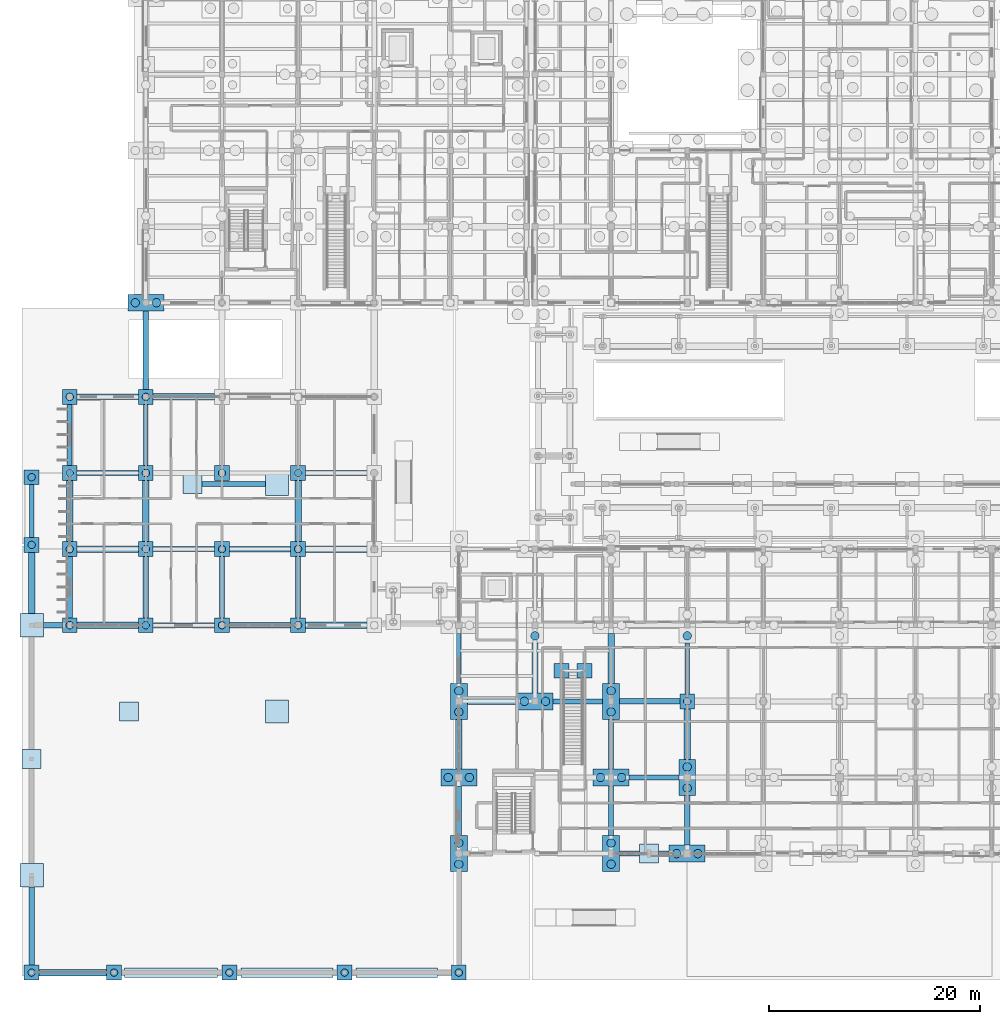
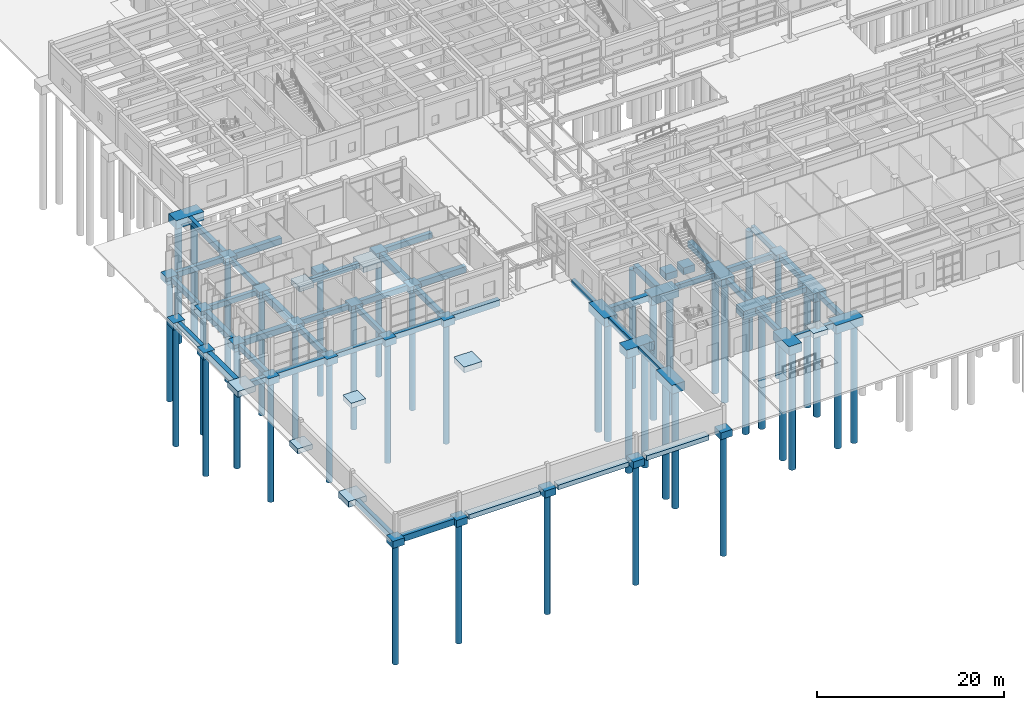
# One storey, part 1 of 143: 89 footings, 44 piles.
"""IFC4 building model written with IfcOpenShell, lengths in metres."""

from ifc_helpers import new_model, si_unit, direction, frame, origin, origin_2d, place, context, subcontext, project, spatial, rectangle, circle, extrude, material, material_profile, profile_set, type_object, element, save


model = new_model("IFC4")

# Units and contexts
model_context = context("Model", 3, precision=1e-05, world=origin(), true_north=direction((0.0, 1.0)))
body_context = subcontext(model_context, "Body", "Model", "MODEL_VIEW")
ifc_project = project(units=[si_unit("LENGTHUNIT", "METRE"), si_unit("AREAUNIT", "SQUARE_METRE"), si_unit("VOLUMEUNIT", "CUBIC_METRE"), si_unit("PLANEANGLEUNIT", "RADIAN"), si_unit("MASSUNIT", "GRAM", prefix="KILO")], contexts=[model_context])

# Site, building, storey
site_placement = place(None, origin())
site = spatial("IfcSite", under=ifc_project, at=site_placement, CompositionType="ELEMENT")
building_placement = place(site_placement, origin())
building = spatial("IfcBuilding", under=site, at=building_placement, Name="Steenspoor Specialist Clinic", CompositionType="ELEMENT")
storey_placement = place(building_placement, origin())
storey = spatial("IfcBuildingStorey", under=building, at=storey_placement, Name="L00", CompositionType="ELEMENT", Elevation=0.0)

# Footings
ifc_material = material(Name="Concrete C35/45", Category="concrete")
footing_type_1 = type_object("IfcFootingType", Name="FTG-PAD-180", PredefinedType="PAD_FOOTING", material=ifc_material)
for number, where, z_axis, x_axis, name in (
    (1, (4.800048828125, 22.0, -0.64990234375), (0.0, 0.0, 1.0), (1.0, 0.0, 0.0), "Pad Footing FTG-PAD-047"),
    (2, (63.199951171875, 13.050048828125, -0.64990234375), (0.0, 0.0, 1.0), (1.0, 0.0, 0.0), "Pad Footing FTG-PAD-065"),
    (3, (20.0, 48.0, -0.64990234375), (0.0, 0.0, 1.0), (1.0, 0.0, 0.0), "Pad Footing FTG-PAD-078"),
    (4, (14.0, 26.5, -0.64990234375), (0.0, 0.0, 1.0), (1.0, 0.0, 0.0), "Pad Footing FTG-PAD-080"),
):
    element("IfcFooting", number, at=place(storey_placement, frame(where, z_axis=z_axis, x_axis=x_axis)), inside=storey, type_object=footing_type_1, Name=name, PredefinedType="PAD_FOOTING", context=body_context, shape_type="SweptSolid", body=[
        extrude(rectangle(XDim=1.800048828125, YDim=1.800048828125, at=origin_2d()), origin(), (0.0, 0.0, 1.0), 0.64990234375),
    ])
footing_type_2 = type_object("IfcFootingType", Name="FTG-PAD-220", PredefinedType="PAD_FOOTING", material=ifc_material)
for number, where, z_axis, x_axis, name in (
    (5, (4.800048828125, 34.64990234375, -0.75), (0.0, 0.0, 1.0), (1.0, 0.0, 0.0), "Pad Footing FTG-PAD-046"),
    (6, (4.800048828125, 11.0, -0.75), (0.0, 0.0, 1.0), (1.0, 0.0, 0.0), "Pad Footing FTG-PAD-048"),
    (7, (28.0, 48.0, -0.75), (0.0, 0.0, 1.0), (1.0, 0.0, 0.0), "Pad Footing FTG-PAD-079"),
    (8, (28.0, 26.5, -0.75), (0.0, 0.0, 1.0), (1.0, 0.0, 0.0), "Pad Footing FTG-PAD-081"),
):
    element("IfcFooting", number, at=place(storey_placement, frame(where, z_axis=z_axis, x_axis=x_axis)), inside=storey, type_object=footing_type_2, Name=name, PredefinedType="PAD_FOOTING", context=body_context, shape_type="SweptSolid", body=[
        extrude(rectangle(XDim=2.199951171875, YDim=2.199951171875, at=origin_2d()), origin(), (0.0, 0.0, 1.0), 0.75),
    ])
footing_type_3 = type_object("IfcFootingType", Name="FTG-PC-1P-700", PredefinedType="PILE_CAP", material=ifc_material)
for number, where, z_axis, x_axis, name in (
    (9, (66.800048828125, 27.449951171875, -0.89990234375), (0.0, 0.0, 1.0), (1.0, 0.0, 0.0), "Pile Cap FTG-PC-016"),
    (10, (8.39990234375, 34.64990234375, -0.89990234375), (0.0, 0.0, 1.0), (1.0, 0.0, 0.0), "Pile Cap FTG-PC-080"),
    (11, (8.39990234375, 41.85009765625, -0.89990234375), (0.0, 0.0, 1.0), (1.0, 0.0, 0.0), "Pile Cap FTG-PC-081"),
    (12, (8.39990234375, 49.050048828125, -0.89990234375), (0.0, 0.0, 1.0), (1.0, 0.0, 0.0), "Pile Cap FTG-PC-082"),
    (13, (8.39990234375, 56.25, -0.89990234375), (0.0, 0.0, 1.0), (1.0, 0.0, 0.0), "Pile Cap FTG-PC-083"),
    (14, (15.60009765625, 34.64990234375, -0.89990234375), (0.0, 0.0, 1.0), (1.0, 0.0, 0.0), "Pile Cap FTG-PC-084"),
    (15, (15.60009765625, 41.85009765625, -0.89990234375), (0.0, 0.0, 1.0), (1.0, 0.0, 0.0), "Pile Cap FTG-PC-085"),
    (16, (15.60009765625, 49.050048828125, -0.89990234375), (0.0, 0.0, 1.0), (1.0, 0.0, 0.0), "Pile Cap FTG-PC-086"),
    (17, (15.60009765625, 56.25, -0.89990234375), (0.0, 0.0, 1.0), (1.0, 0.0, 0.0), "Pile Cap FTG-PC-087"),
    (18, (22.800048828125, 34.64990234375, -0.89990234375), (0.0, 0.0, 1.0), (1.0, 0.0, 0.0), "Pile Cap FTG-PC-088"),
    (19, (22.800048828125, 41.85009765625, -0.89990234375), (0.0, 0.0, 1.0), (1.0, 0.0, 0.0), "Pile Cap FTG-PC-089"),
    (20, (22.800048828125, 49.050048828125, -0.89990234375), (0.0, 0.0, 1.0), (1.0, 0.0, 0.0), "Pile Cap FTG-PC-090"),
    (21, (30.0, 34.64990234375, -0.89990234375), (0.0, 0.0, 1.0), (1.0, 0.0, 0.0), "Pile Cap FTG-PC-092"),
    (22, (30.0, 41.85009765625, -0.89990234375), (0.0, 0.0, 1.0), (1.0, 0.0, 0.0), "Pile Cap FTG-PC-093"),
    (23, (30.0, 49.050048828125, -0.89990234375), (0.0, 0.0, 1.0), (1.0, 0.0, 0.0), "Pile Cap FTG-PC-094"),
    (24, (4.800048828125, 42.25, -0.89990234375), (0.0, 0.0, 1.0), (1.0, 0.0, 0.0), "Pad Footing FTG-PAD-001"),
    (25, (4.800048828125, 48.64990234375, -0.89990234375), (0.0, 0.0, 1.0), (1.0, 0.0, 0.0), "Pad Footing FTG-PAD-002"),
    (26, (4.800048828125, 1.800048828125, -0.89990234375), (0.0, 0.0, 1.0), (1.0, 0.0, 0.0), "Pad Footing FTG-PAD-049"),
    (27, (12.60009765625, 1.800048828125, -0.89990234375), (0.0, 0.0, 1.0), (1.0, 0.0, 0.0), "Pad Footing FTG-PAD-050"),
    (28, (23.5, 1.800048828125, -0.89990234375), (0.0, 0.0, 1.0), (1.0, 0.0, 0.0), "Pad Footing FTG-PAD-051"),
    (29, (34.39990234375, 1.800048828125, -0.89990234375), (0.0, 0.0, 1.0), (1.0, 0.0, 0.0), "Pad Footing FTG-PAD-052"),
    (30, (45.199951171875, 1.800048828125, -0.89990234375), (0.0, 0.0, 1.0), (1.0, 0.0, 0.0), "Pad Footing FTG-PAD-053"),
    (31, (54.925048828125, 30.35009765625, -0.89990234375), (0.0, 0.0, 1.0), (1.0, 0.0, 0.0), "Feature Stair Pad ST-F01 L"),
    (32, (57.074951171875, 30.35009765625, -0.89990234375), (0.0, 0.0, 1.0), (1.0, 0.0, 0.0), "Feature Stair Pad ST-F01 R"),
):
    element("IfcFooting", number, at=place(storey_placement, frame(where, z_axis=z_axis, x_axis=x_axis)), inside=storey, type_object=footing_type_3, Name=name, PredefinedType="PILE_CAP", context=body_context, shape_type="SweptSolid", body=[
        extrude(rectangle(XDim=1.39990234375, YDim=1.39990234375, at=origin_2d()), origin(), (0.0, 0.0, 1.0), 0.89990234375),
    ])
footing_type_4 = type_object("IfcFootingType", Name="FTG-PC-2P-800X", PredefinedType="PILE_CAP", material=ifc_material)
for number, where, z_axis, x_axis, name in (
    (33, (45.199951171875, 20.25, -1.10009765625), (0.0, 0.0, 1.0), (1.0, 0.0, 0.0), "Pile Cap FTG-PC-002"),
    (34, (52.39990234375, 27.449951171875, -1.10009765625), (0.0, 0.0, 1.0), (1.0, 0.0, 0.0), "Pile Cap FTG-PC-006"),
    (35, (59.60009765625, 20.25, -1.10009765625), (0.0, 0.0, 1.0), (1.0, 0.0, 0.0), "Pile Cap FTG-PC-010"),
    (36, (66.800048828125, 13.050048828125, -1.10009765625), (0.0, 0.0, 1.0), (1.0, 0.0, 0.0), "Pile Cap FTG-PC-014"),
    (37, (15.60009765625, 65.14990234375, -1.10009765625), (0.0, 0.0, 1.0), (1.0, 0.0, 0.0), "Pile Cap FTG-PC-168"),
):
    element("IfcFooting", number, at=place(storey_placement, frame(where, z_axis=z_axis, x_axis=x_axis)), inside=storey, type_object=footing_type_4, Name=name, PredefinedType="PILE_CAP", context=body_context, shape_type="SweptSolid", body=[
        extrude(rectangle(XDim=3.39990234375, YDim=1.60009765625, at=origin_2d()), origin(), (0.0, 0.0, 1.0), 1.10009765625),
    ])
footing_type_5 = type_object("IfcFootingType", Name="FTG-PC-2P-800Y", PredefinedType="PILE_CAP", material=ifc_material)
for number, where, z_axis, x_axis, name in (
    (38, (45.199951171875, 13.050048828125, -1.14990234375), (0.0, 0.0, 1.0), (1.0, 0.0, 0.0), "Pile Cap FTG-PC-001"),
    (39, (45.199951171875, 27.449951171875, -1.14990234375), (0.0, 0.0, 1.0), (1.0, 0.0, 0.0), "Pile Cap FTG-PC-003"),
    (40, (59.60009765625, 13.050048828125, -1.14990234375), (0.0, 0.0, 1.0), (1.0, 0.0, 0.0), "Pile Cap FTG-PC-009"),
    (41, (59.60009765625, 27.449951171875, -1.14990234375), (0.0, 0.0, 1.0), (1.0, 0.0, 0.0), "Pile Cap FTG-PC-011"),
    (42, (66.800048828125, 20.25, -1.14990234375), (0.0, 0.0, 1.0), (1.0, 0.0, 0.0), "Pile Cap FTG-PC-015"),
):
    element("IfcFooting", number, at=place(storey_placement, frame(where, z_axis=z_axis, x_axis=x_axis)), inside=storey, type_object=footing_type_5, Name=name, PredefinedType="PILE_CAP", context=body_context, shape_type="SweptSolid", body=[
        extrude(rectangle(XDim=1.60009765625, YDim=3.39990234375, at=origin_2d()), origin(), (0.0, 0.0, 1.0), 1.14990234375),
    ])
footing_type_6 = type_object("IfcFootingType", Name="FTG-SF-900X600", PredefinedType="STRIP_FOOTING", material=ifc_material)
footing_1_placement = place(storey_placement, frame((18.0, 1.800048828125, -0.60009765625), z_axis=(0.0, 0.0, 1.0), x_axis=(1.0, 0.0, 0.0)))
element("IfcFooting", 43, at=footing_1_placement, inside=storey, type_object=footing_type_6, Name="Strip Footing FTG-SF-001", PredefinedType="STRIP_FOOTING", context=body_context, shape_type="SweptSolid", body=[
    extrude(rectangle(XDim=8.800048828125, YDim=0.89990234375, at=origin_2d()), origin(), (0.0, 0.0, 1.0), 0.60009765625),
])
footing_2_placement = place(storey_placement, frame((28.949951171875, 1.800048828125, -0.60009765625), z_axis=(0.0, 0.0, 1.0), x_axis=(1.0, 0.0, 0.0)))
element("IfcFooting", 44, at=footing_2_placement, inside=storey, type_object=footing_type_6, Name="Strip Footing FTG-SF-002", PredefinedType="STRIP_FOOTING", context=body_context, shape_type="SweptSolid", body=[
    extrude(rectangle(XDim=8.699951171875, YDim=0.89990234375, at=origin_2d()), origin(), (0.0, 0.0, 1.0), 0.60009765625),
])
footing_3_placement = place(storey_placement, frame((39.35009765625, 1.800048828125, -0.60009765625), z_axis=(0.0, 0.0, 1.0), x_axis=(1.0, 0.0, 0.0)))
element("IfcFooting", 45, at=footing_3_placement, inside=storey, type_object=footing_type_6, Name="Strip Footing FTG-SF-003", PredefinedType="STRIP_FOOTING", context=body_context, shape_type="SweptSolid", body=[
    extrude(rectangle(XDim=7.699951171875, YDim=0.89990234375, at=origin_2d()), origin(), (0.0, 0.0, 1.0), 0.60009765625),
])
footing_type_7 = type_object("IfcFootingType", Name="FTG-TB-450X650", PredefinedType="FOOTING_BEAM", material=ifc_material)
footing_4_placement = place(storey_placement, frame((61.35009765625, 13.050048828125, -0.64990234375), z_axis=(0.0, 0.0, 1.0), x_axis=(1.0, 0.0, 0.0)))
element("IfcFooting", 46, at=footing_4_placement, inside=storey, type_object=footing_type_7, Name="Seismic Tie Beam FTG-TB-002", PredefinedType="FOOTING_BEAM", context=body_context, shape_type="SweptSolid", body=[
    extrude(rectangle(XDim=1.89990234375, YDim=0.449951171875, at=origin_2d()), origin(), (0.0, 0.0, 1.0), 0.64990234375),
])
for number, where, z_axis, x_axis, name in (
    (47, (63.64990234375, 20.25, -0.64990234375), (0.0, 0.0, 1.0), (1.0, 0.0, 0.0), "Seismic Tie Beam FTG-TB-020"),
    (48, (56.449951171875, 27.449951171875, -0.64990234375), (0.0, 0.0, 1.0), (1.0, 0.0, 0.0), "Seismic Tie Beam FTG-TB-032"),
):
    element("IfcFooting", number, at=place(storey_placement, frame(where, z_axis=z_axis, x_axis=x_axis)), inside=storey, type_object=footing_type_7, Name=name, PredefinedType="FOOTING_BEAM", context=body_context, shape_type="SweptSolid", body=[
        extrude(rectangle(XDim=4.699951171875, YDim=0.449951171875, at=origin_2d()), origin(), (0.0, 0.0, 1.0), 0.64990234375),
    ])
for number, where, z_axis, x_axis, name in (
    (49, (19.199951171875, 34.64990234375, -0.64990234375), (0.0, 0.0, 1.0), (1.0, 0.0, 0.0), "Seismic Tie Beam FTG-TB-050"),
    (50, (19.199951171875, 41.85009765625, -0.64990234375), (0.0, 0.0, 1.0), (1.0, 0.0, 0.0), "Seismic Tie Beam FTG-TB-071"),
):
    element("IfcFooting", number, at=place(storey_placement, frame(where, z_axis=z_axis, x_axis=x_axis)), inside=storey, type_object=footing_type_7, Name=name, PredefinedType="FOOTING_BEAM", context=body_context, shape_type="SweptSolid", body=[
        extrude(rectangle(XDim=5.800048828125, YDim=0.449951171875, at=origin_2d()), origin(), (0.0, 0.0, 1.0), 0.64990234375),
    ])
footing_5_placement = place(storey_placement, frame((23.89990234375, 48.0, -0.64990234375), z_axis=(0.0, 0.0, 1.0), x_axis=(1.0, 0.0, 0.0)))
element("IfcFooting", 51, at=footing_5_placement, inside=storey, type_object=footing_type_7, Name="Seismic Tie Beam FTG-TB-101", PredefinedType="FOOTING_BEAM", context=body_context, shape_type="SweptSolid", body=[
    extrude(rectangle(XDim=6.0, YDim=0.449951171875, at=origin_2d()), origin(), (0.0, 0.0, 1.0), 0.64990234375),
])
footing_6_placement = place(storey_placement, frame((12.0, 49.050048828125, -0.64990234375), z_axis=(0.0, 0.0, 1.0), x_axis=(1.0, 0.0, 0.0)))
element("IfcFooting", 52, at=footing_6_placement, inside=storey, type_object=footing_type_7, Name="Seismic Tie Beam FTG-TB-110", PredefinedType="FOOTING_BEAM", context=body_context, shape_type="SweptSolid", body=[
    extrude(rectangle(XDim=5.800048828125, YDim=0.449951171875, at=origin_2d()), origin(), (0.0, 0.0, 1.0), 0.64990234375),
])
footing_7_placement = place(storey_placement, frame((4.800048828125, 45.449951171875, -0.64990234375), z_axis=(0.0, 0.0, 1.0), x_axis=(1.0, 0.0, 0.0)))
element("IfcFooting", 53, at=footing_7_placement, inside=storey, type_object=footing_type_7, Name="Seismic Tie Beam FTG-TB-266", PredefinedType="FOOTING_BEAM", context=body_context, shape_type="SweptSolid", body=[
    extrude(rectangle(XDim=0.449951171875, YDim=5.0, at=origin_2d()), origin(), (0.0, 0.0, 1.0), 0.64990234375),
])
for number, where, z_axis, x_axis, name in (
    (54, (8.39990234375, 52.64990234375, -0.64990234375), (0.0, 0.0, 1.0), (1.0, 0.0, 0.0), "Seismic Tie Beam FTG-TB-269"),
    (55, (15.60009765625, 52.64990234375, -0.64990234375), (0.0, 0.0, 1.0), (1.0, 0.0, 0.0), "Seismic Tie Beam FTG-TB-272"),
    (56, (22.800048828125, 38.25, -0.64990234375), (0.0, 0.0, 1.0), (1.0, 0.0, 0.0), "Seismic Tie Beam FTG-TB-278"),
):
    element("IfcFooting", number, at=place(storey_placement, frame(where, z_axis=z_axis, x_axis=x_axis)), inside=storey, type_object=footing_type_7, Name=name, PredefinedType="FOOTING_BEAM", context=body_context, shape_type="SweptSolid", body=[
        extrude(rectangle(XDim=0.449951171875, YDim=5.800048828125, at=origin_2d()), origin(), (0.0, 0.0, 1.0), 0.64990234375),
    ])
for number, where, z_axis, x_axis, name in (
    (57, (45.199951171875, 31.5, -0.64990234375), (0.0, 0.0, 1.0), (1.0, 0.0, 0.0), "Seismic Tie Beam FTG-TB-314"),
    (58, (59.60009765625, 17.10009765625, -0.64990234375), (0.0, 0.0, 1.0), (1.0, 0.0, 0.0), "Seismic Tie Beam FTG-TB-329"),
):
    element("IfcFooting", number, at=place(storey_placement, frame(where, z_axis=z_axis, x_axis=x_axis)), inside=storey, type_object=footing_type_7, Name=name, PredefinedType="FOOTING_BEAM", context=body_context, shape_type="SweptSolid", body=[
        extrude(rectangle(XDim=0.449951171875, YDim=4.699951171875, at=origin_2d()), origin(), (0.0, 0.0, 1.0), 0.64990234375),
    ])
footing_8_placement = place(storey_placement, frame((66.800048828125, 30.550048828125, -0.64990234375), z_axis=(0.0, 0.0, 1.0), x_axis=(1.0, 0.0, 0.0)))
element("IfcFooting", 59, at=footing_8_placement, inside=storey, type_object=footing_type_7, Name="Seismic Tie Beam FTG-TB-341", PredefinedType="FOOTING_BEAM", context=body_context, shape_type="SweptSolid", body=[
    extrude(rectangle(XDim=0.449951171875, YDim=4.800048828125, at=origin_2d()), origin(), (0.0, 0.0, 1.0), 0.64990234375),
])
footing_type_8 = type_object("IfcFootingType", Name="FTG-TB-500X700", PredefinedType="FOOTING_BEAM", material=ifc_material)
footing_9_placement = place(storey_placement, frame((64.60009765625, 13.050048828125, -0.7001953125), z_axis=(0.0, 0.0, 1.0), x_axis=(1.0, 0.0, 0.0)))
element("IfcFooting", 60, at=footing_9_placement, inside=storey, type_object=footing_type_8, Name="Seismic Tie Beam FTG-TB-003", PredefinedType="FOOTING_BEAM", context=body_context, shape_type="SweptSolid", body=[
    extrude(rectangle(XDim=1.0, YDim=0.5, at=origin_2d()), origin(), (0.0, 0.0, 1.0), 0.699951171875),
])
footing_10_placement = place(storey_placement, frame((63.25, 27.449951171875, -0.7001953125), z_axis=(0.0, 0.0, 1.0), x_axis=(1.0, 0.0, 0.0)))
element("IfcFooting", 61, at=footing_10_placement, inside=storey, type_object=footing_type_8, Name="Seismic Tie Beam FTG-TB-033", PredefinedType="FOOTING_BEAM", context=body_context, shape_type="SweptSolid", body=[
    extrude(rectangle(XDim=5.699951171875, YDim=0.5, at=origin_2d()), origin(), (0.0, 0.0, 1.0), 0.699951171875),
])
footing_11_placement = place(storey_placement, frame((6.800048828125, 34.64990234375, -0.7001953125), z_axis=(0.0, 0.0, 1.0), x_axis=(1.0, 0.0, 0.0)))
element("IfcFooting", 62, at=footing_11_placement, inside=storey, type_object=footing_type_8, Name="Seismic Tie Beam FTG-TB-048", PredefinedType="FOOTING_BEAM", context=body_context, shape_type="SweptSolid", body=[
    extrude(rectangle(XDim=1.800048828125, YDim=0.5, at=origin_2d()), origin(), (0.0, 0.0, 1.0), 0.699951171875),
])
for number, where, z_axis, x_axis, name in (
    (63, (26.39990234375, 34.64990234375, -0.7001953125), (0.0, 0.0, 1.0), (1.0, 0.0, 0.0), "Seismic Tie Beam FTG-TB-051"),
    (64, (26.39990234375, 41.85009765625, -0.7001953125), (0.0, 0.0, 1.0), (1.0, 0.0, 0.0), "Seismic Tie Beam FTG-TB-072"),
    (65, (33.60009765625, 49.050048828125, -0.7001953125), (0.0, 0.0, 1.0), (1.0, 0.0, 0.0), "Seismic Tie Beam FTG-TB-111"),
    (66, (12.0, 56.25, -0.7001953125), (0.0, 0.0, 1.0), (1.0, 0.0, 0.0), "Seismic Tie Beam FTG-TB-114"),
):
    element("IfcFooting", number, at=place(storey_placement, frame(where, z_axis=z_axis, x_axis=x_axis)), inside=storey, type_object=footing_type_8, Name=name, PredefinedType="FOOTING_BEAM", context=body_context, shape_type="SweptSolid", body=[
        extrude(rectangle(XDim=5.800048828125, YDim=0.5, at=origin_2d()), origin(), (0.0, 0.0, 1.0), 0.699951171875),
    ])
footing_12_placement = place(storey_placement, frame((4.800048828125, 6.199951171875, -0.7001953125), z_axis=(0.0, 0.0, 1.0), x_axis=(1.0, 0.0, 0.0)))
element("IfcFooting", 67, at=footing_12_placement, inside=storey, type_object=footing_type_8, Name="Seismic Tie Beam FTG-TB-264", PredefinedType="FOOTING_BEAM", context=body_context, shape_type="SweptSolid", body=[
    extrude(rectangle(XDim=0.5, YDim=7.39990234375, at=origin_2d()), origin(), (0.0, 0.0, 1.0), 0.699951171875),
])
for number, where, z_axis, x_axis, name in (
    (68, (8.39990234375, 38.25, -0.7001953125), (0.0, 0.0, 1.0), (1.0, 0.0, 0.0), "Seismic Tie Beam FTG-TB-267"),
    (69, (15.60009765625, 38.25, -0.7001953125), (0.0, 0.0, 1.0), (1.0, 0.0, 0.0), "Seismic Tie Beam FTG-TB-270"),
):
    element("IfcFooting", number, at=place(storey_placement, frame(where, z_axis=z_axis, x_axis=x_axis)), inside=storey, type_object=footing_type_8, Name=name, PredefinedType="FOOTING_BEAM", context=body_context, shape_type="SweptSolid", body=[
        extrude(rectangle(XDim=0.5, YDim=5.800048828125, at=origin_2d()), origin(), (0.0, 0.0, 1.0), 0.699951171875),
    ])
footing_13_placement = place(storey_placement, frame((15.60009765625, 60.64990234375, -0.7001953125), z_axis=(0.0, 0.0, 1.0), x_axis=(1.0, 0.0, 0.0)))
element("IfcFooting", 70, at=footing_13_placement, inside=storey, type_object=footing_type_8, Name="Seismic Tie Beam FTG-TB-273", PredefinedType="FOOTING_BEAM", context=body_context, shape_type="SweptSolid", body=[
    extrude(rectangle(XDim=0.5, YDim=7.39990234375, at=origin_2d()), origin(), (0.0, 0.0, 1.0), 0.699951171875),
])
footing_14_placement = place(storey_placement, frame((30.0, 38.25, -0.7001953125), z_axis=(0.0, 0.0, 1.0), x_axis=(1.0, 0.0, 0.0)))
element("IfcFooting", 71, at=footing_14_placement, inside=storey, type_object=footing_type_8, Name="Seismic Tie Beam FTG-TB-285", PredefinedType="FOOTING_BEAM", context=body_context, shape_type="SweptSolid", body=[
    extrude(rectangle(XDim=0.5, YDim=5.800048828125, at=origin_2d()), origin(), (0.0, 0.0, 1.0), 0.699951171875),
])
for number, where, z_axis, x_axis, name in (
    (72, (45.199951171875, 17.10009765625, -0.7001953125), (0.0, 0.0, 1.0), (1.0, 0.0, 0.0), "Seismic Tie Beam FTG-TB-312"),
    (73, (59.60009765625, 23.39990234375, -0.7001953125), (0.0, 0.0, 1.0), (1.0, 0.0, 0.0), "Seismic Tie Beam FTG-TB-330"),
    (74, (66.800048828125, 16.199951171875, -0.7001953125), (0.0, 0.0, 1.0), (1.0, 0.0, 0.0), "Seismic Tie Beam FTG-TB-339"),
):
    element("IfcFooting", number, at=place(storey_placement, frame(where, z_axis=z_axis, x_axis=x_axis)), inside=storey, type_object=footing_type_8, Name=name, PredefinedType="FOOTING_BEAM", context=body_context, shape_type="SweptSolid", body=[
        extrude(rectangle(XDim=0.5, YDim=4.699951171875, at=origin_2d()), origin(), (0.0, 0.0, 1.0), 0.699951171875),
    ])
footing_type_9 = type_object("IfcFootingType", Name="FTG-TB-600X800", PredefinedType="FOOTING_BEAM", material=ifc_material)
footing_15_placement = place(storey_placement, frame((8.699951171875, 1.800048828125, -0.7998046875), z_axis=(0.0, 0.0, 1.0), x_axis=(1.0, 0.0, 0.0)))
element("IfcFooting", 75, at=footing_15_placement, inside=storey, type_object=footing_type_9, Name="Seismic Tie Beam FTG-TB-001", PredefinedType="FOOTING_BEAM", context=body_context, shape_type="SweptSolid", body=[
    extrude(rectangle(XDim=6.39990234375, YDim=0.60009765625, at=origin_2d()), origin(), (0.0, 0.0, 1.0), 0.800048828125),
])
footing_16_placement = place(storey_placement, frame((48.35009765625, 27.449951171875, -0.7998046875), z_axis=(0.0, 0.0, 1.0), x_axis=(1.0, 0.0, 0.0)))
element("IfcFooting", 76, at=footing_16_placement, inside=storey, type_object=footing_type_9, Name="Seismic Tie Beam FTG-TB-031", PredefinedType="FOOTING_BEAM", context=body_context, shape_type="SweptSolid", body=[
    extrude(rectangle(XDim=4.699951171875, YDim=0.60009765625, at=origin_2d()), origin(), (0.0, 0.0, 1.0), 0.800048828125),
])
for number, where, z_axis, x_axis, name in (
    (77, (12.0, 34.64990234375, -0.7998046875), (0.0, 0.0, 1.0), (1.0, 0.0, 0.0), "Seismic Tie Beam FTG-TB-049"),
    (78, (33.60009765625, 34.64990234375, -0.7998046875), (0.0, 0.0, 1.0), (1.0, 0.0, 0.0), "Seismic Tie Beam FTG-TB-052"),
    (79, (12.0, 41.85009765625, -0.7998046875), (0.0, 0.0, 1.0), (1.0, 0.0, 0.0), "Seismic Tie Beam FTG-TB-070"),
    (80, (33.60009765625, 41.85009765625, -0.7998046875), (0.0, 0.0, 1.0), (1.0, 0.0, 0.0), "Seismic Tie Beam FTG-TB-073"),
    (81, (19.199951171875, 56.25, -0.7998046875), (0.0, 0.0, 1.0), (1.0, 0.0, 0.0), "Seismic Tie Beam FTG-TB-115"),
):
    element("IfcFooting", number, at=place(storey_placement, frame(where, z_axis=z_axis, x_axis=x_axis)), inside=storey, type_object=footing_type_9, Name=name, PredefinedType="FOOTING_BEAM", context=body_context, shape_type="SweptSolid", body=[
        extrude(rectangle(XDim=5.800048828125, YDim=0.60009765625, at=origin_2d()), origin(), (0.0, 0.0, 1.0), 0.800048828125),
    ])
for number, where, z_axis, x_axis, name in (
    (82, (4.800048828125, 38.64990234375, -0.7998046875), (0.0, 0.0, 1.0), (1.0, 0.0, 0.0), "Seismic Tie Beam FTG-TB-265"),
    (83, (8.39990234375, 45.449951171875, -0.7998046875), (0.0, 0.0, 1.0), (1.0, 0.0, 0.0), "Seismic Tie Beam FTG-TB-268"),
    (84, (15.60009765625, 45.449951171875, -0.7998046875), (0.0, 0.0, 1.0), (1.0, 0.0, 0.0), "Seismic Tie Beam FTG-TB-271"),
    (85, (30.0, 45.449951171875, -0.7998046875), (0.0, 0.0, 1.0), (1.0, 0.0, 0.0), "Seismic Tie Beam FTG-TB-286"),
):
    element("IfcFooting", number, at=place(storey_placement, frame(where, z_axis=z_axis, x_axis=x_axis)), inside=storey, type_object=footing_type_9, Name=name, PredefinedType="FOOTING_BEAM", context=body_context, shape_type="SweptSolid", body=[
        extrude(rectangle(XDim=0.60009765625, YDim=5.800048828125, at=origin_2d()), origin(), (0.0, 0.0, 1.0), 0.800048828125),
    ])
for number, where, z_axis, x_axis, name in (
    (86, (45.199951171875, 23.39990234375, -0.7998046875), (0.0, 0.0, 1.0), (1.0, 0.0, 0.0), "Seismic Tie Beam FTG-TB-313"),
    (87, (52.39990234375, 30.60009765625, -0.7998046875), (0.0, 0.0, 1.0), (1.0, 0.0, 0.0), "Seismic Tie Beam FTG-TB-322"),
    (88, (59.60009765625, 31.5, -0.7998046875), (0.0, 0.0, 1.0), (1.0, 0.0, 0.0), "Seismic Tie Beam FTG-TB-331"),
):
    element("IfcFooting", number, at=place(storey_placement, frame(where, z_axis=z_axis, x_axis=x_axis)), inside=storey, type_object=footing_type_9, Name=name, PredefinedType="FOOTING_BEAM", context=body_context, shape_type="SweptSolid", body=[
        extrude(rectangle(XDim=0.60009765625, YDim=4.699951171875, at=origin_2d()), origin(), (0.0, 0.0, 1.0), 0.800048828125),
    ])
footing_17_placement = place(storey_placement, frame((66.800048828125, 24.35009765625, -0.7998046875), z_axis=(0.0, 0.0, 1.0), x_axis=(1.0, 0.0, 0.0)))
element("IfcFooting", 89, at=footing_17_placement, inside=storey, type_object=footing_type_9, Name="Seismic Tie Beam FTG-TB-340", PredefinedType="FOOTING_BEAM", context=body_context, shape_type="SweptSolid", body=[
    extrude(rectangle(XDim=0.60009765625, YDim=4.800048828125, at=origin_2d()), origin(), (0.0, 0.0, 1.0), 0.800048828125),
])

# Piles
ifc_material_profile_1 = material_profile(ifc_material, circle(Radius=0.35009765625, at=origin_2d()), Name="PILE-D700")
ifc_profile_set_1 = profile_set([ifc_material_profile_1], Name="Concrete C35/45")
pile_type_1 = type_object("IfcPileType", Name="PILE-RC-D700", PredefinedType="BORED", material=ifc_profile_set_1)
for number, where, z_axis, x_axis, name in (
    (90, (66.800048828125, 27.449951171875, -0.800048828125), (0.0, 0.0, -1.0), (1.0, 0.0, 0.0), "Bored Pile PILE-0031"),
    (91, (8.39990234375, 34.64990234375, -0.800048828125), (0.0, 0.0, -1.0), (1.0, 0.0, 0.0), "Bored Pile PILE-0160"),
    (92, (8.39990234375, 41.85009765625, -0.800048828125), (0.0, 0.0, -1.0), (1.0, 0.0, 0.0), "Bored Pile PILE-0161"),
    (93, (8.39990234375, 49.050048828125, -0.800048828125), (0.0, 0.0, -1.0), (1.0, 0.0, 0.0), "Bored Pile PILE-0162"),
    (94, (8.39990234375, 56.25, -0.800048828125), (0.0, 0.0, -1.0), (1.0, 0.0, 0.0), "Bored Pile PILE-0163"),
    (95, (15.60009765625, 34.64990234375, -0.800048828125), (0.0, 0.0, -1.0), (1.0, 0.0, 0.0), "Bored Pile PILE-0164"),
    (96, (15.60009765625, 41.85009765625, -0.800048828125), (0.0, 0.0, -1.0), (1.0, 0.0, 0.0), "Bored Pile PILE-0165"),
    (97, (15.60009765625, 49.050048828125, -0.800048828125), (0.0, 0.0, -1.0), (1.0, 0.0, 0.0), "Bored Pile PILE-0166"),
    (98, (15.60009765625, 56.25, -0.800048828125), (0.0, 0.0, -1.0), (1.0, 0.0, 0.0), "Bored Pile PILE-0167"),
    (99, (22.800048828125, 34.64990234375, -0.800048828125), (0.0, 0.0, -1.0), (1.0, 0.0, 0.0), "Bored Pile PILE-0168"),
    (100, (22.800048828125, 41.85009765625, -0.800048828125), (0.0, 0.0, -1.0), (1.0, 0.0, 0.0), "Bored Pile PILE-0169"),
    (101, (22.800048828125, 49.050048828125, -0.800048828125), (0.0, 0.0, -1.0), (1.0, 0.0, 0.0), "Bored Pile PILE-0170"),
    (102, (30.0, 34.64990234375, -0.800048828125), (0.0, 0.0, -1.0), (1.0, 0.0, 0.0), "Bored Pile PILE-0172"),
    (103, (30.0, 41.85009765625, -0.800048828125), (0.0, 0.0, -1.0), (1.0, 0.0, 0.0), "Bored Pile PILE-0173"),
    (104, (30.0, 49.050048828125, -0.800048828125), (0.0, 0.0, -1.0), (1.0, 0.0, 0.0), "Bored Pile PILE-0174"),
    (105, (4.800048828125, 42.25, -0.800048828125), (0.0, 0.0, -1.0), (1.0, 0.0, 0.0), "Bored Pile PILE-0610"),
    (106, (4.800048828125, 48.64990234375, -0.800048828125), (0.0, 0.0, -1.0), (1.0, 0.0, 0.0), "Bored Pile PILE-0611"),
    (107, (4.800048828125, 1.800048828125, -0.800048828125), (0.0, 0.0, -1.0), (1.0, 0.0, 0.0), "Bored Pile PILE-0655"),
    (108, (12.60009765625, 1.800048828125, -0.800048828125), (0.0, 0.0, -1.0), (1.0, 0.0, 0.0), "Bored Pile PILE-0656"),
    (109, (23.5, 1.800048828125, -0.800048828125), (0.0, 0.0, -1.0), (1.0, 0.0, 0.0), "Bored Pile PILE-0657"),
    (110, (34.39990234375, 1.800048828125, -0.800048828125), (0.0, 0.0, -1.0), (1.0, 0.0, 0.0), "Bored Pile PILE-0658"),
    (111, (45.199951171875, 1.800048828125, -0.800048828125), (0.0, 0.0, -1.0), (1.0, 0.0, 0.0), "Bored Pile PILE-0659"),
):
    element("IfcPile", number, at=place(storey_placement, frame(where, z_axis=z_axis, x_axis=x_axis)), inside=storey, type_object=pile_type_1, Name=name, PredefinedType="BORED", context=body_context, shape_type="SweptSolid", body=[
        extrude(circle(Radius=0.35009765625, at=origin_2d()), origin(), (0.0, 0.0, 1.0), 15.699951171875),
    ])
ifc_material_profile_2 = material_profile(ifc_material, circle(Radius=0.39990234375, at=origin_2d()), Name="PILE-D800")
ifc_profile_set_2 = profile_set([ifc_material_profile_2], Name="Concrete C35/45")
pile_type_2 = type_object("IfcPileType", Name="PILE-RC-D800", PredefinedType="BORED", material=ifc_profile_set_2)
for number, where, z_axis, x_axis, name in (
    (112, (45.199951171875, 12.050048828125, -1.050048828125), (0.0, 0.0, -1.0), (1.0, 0.0, 0.0), "Bored Pile PILE-0001"),
    (113, (45.199951171875, 14.050048828125, -1.050048828125), (0.0, 0.0, -1.0), (1.0, 0.0, 0.0), "Bored Pile PILE-0002"),
):
    element("IfcPile", number, at=place(storey_placement, frame(where, z_axis=z_axis, x_axis=x_axis)), inside=storey, type_object=pile_type_2, Name=name, PredefinedType="BORED", context=body_context, shape_type="SweptSolid", body=[
        extrude(circle(Radius=0.39990234375, at=origin_2d()), origin(), (0.0, 0.0, 1.0), 15.449951171875),
    ])
for number, where, z_axis, x_axis, name in (
    (114, (44.199951171875, 20.25, -1.0), (0.0, 0.0, -1.0), (1.0, 0.0, 0.0), "Bored Pile PILE-0003"),
    (115, (46.199951171875, 20.25, -1.0), (0.0, 0.0, -1.0), (1.0, 0.0, 0.0), "Bored Pile PILE-0004"),
):
    element("IfcPile", number, at=place(storey_placement, frame(where, z_axis=z_axis, x_axis=x_axis)), inside=storey, type_object=pile_type_2, Name=name, PredefinedType="BORED", context=body_context, shape_type="SweptSolid", body=[
        extrude(circle(Radius=0.39990234375, at=origin_2d()), origin(), (0.0, 0.0, 1.0), 15.5),
    ])
for number, where, z_axis, x_axis, name in (
    (116, (45.199951171875, 26.449951171875, -1.050048828125), (0.0, 0.0, -1.0), (1.0, 0.0, 0.0), "Bored Pile PILE-0005"),
    (117, (45.199951171875, 28.449951171875, -1.050048828125), (0.0, 0.0, -1.0), (1.0, 0.0, 0.0), "Bored Pile PILE-0006"),
):
    element("IfcPile", number, at=place(storey_placement, frame(where, z_axis=z_axis, x_axis=x_axis)), inside=storey, type_object=pile_type_2, Name=name, PredefinedType="BORED", context=body_context, shape_type="SweptSolid", body=[
        extrude(circle(Radius=0.39990234375, at=origin_2d()), origin(), (0.0, 0.0, 1.0), 15.449951171875),
    ])
for number, where, z_axis, x_axis, name in (
    (118, (51.39990234375, 27.449951171875, -1.0), (0.0, 0.0, -1.0), (1.0, 0.0, 0.0), "Bored Pile PILE-0011"),
    (119, (53.39990234375, 27.449951171875, -1.0), (0.0, 0.0, -1.0), (1.0, 0.0, 0.0), "Bored Pile PILE-0012"),
):
    element("IfcPile", number, at=place(storey_placement, frame(where, z_axis=z_axis, x_axis=x_axis)), inside=storey, type_object=pile_type_2, Name=name, PredefinedType="BORED", context=body_context, shape_type="SweptSolid", body=[
        extrude(circle(Radius=0.39990234375, at=origin_2d()), origin(), (0.0, 0.0, 1.0), 15.5),
    ])
for number, where, z_axis, x_axis, name in (
    (120, (52.39990234375, 33.64990234375, -1.050048828125), (0.0, 0.0, -1.0), (1.0, 0.0, 0.0), "Bored Pile PILE-0013"),
    (121, (59.60009765625, 12.050048828125, -1.050048828125), (0.0, 0.0, -1.0), (1.0, 0.0, 0.0), "Bored Pile PILE-0017"),
    (122, (59.60009765625, 14.050048828125, -1.050048828125), (0.0, 0.0, -1.0), (1.0, 0.0, 0.0), "Bored Pile PILE-0018"),
):
    element("IfcPile", number, at=place(storey_placement, frame(where, z_axis=z_axis, x_axis=x_axis)), inside=storey, type_object=pile_type_2, Name=name, PredefinedType="BORED", context=body_context, shape_type="SweptSolid", body=[
        extrude(circle(Radius=0.39990234375, at=origin_2d()), origin(), (0.0, 0.0, 1.0), 15.449951171875),
    ])
for number, where, z_axis, x_axis, name in (
    (123, (58.60009765625, 20.25, -1.0), (0.0, 0.0, -1.0), (1.0, 0.0, 0.0), "Bored Pile PILE-0019"),
    (124, (60.60009765625, 20.25, -1.0), (0.0, 0.0, -1.0), (1.0, 0.0, 0.0), "Bored Pile PILE-0020"),
):
    element("IfcPile", number, at=place(storey_placement, frame(where, z_axis=z_axis, x_axis=x_axis)), inside=storey, type_object=pile_type_2, Name=name, PredefinedType="BORED", context=body_context, shape_type="SweptSolid", body=[
        extrude(circle(Radius=0.39990234375, at=origin_2d()), origin(), (0.0, 0.0, 1.0), 15.5),
    ])
for number, where, z_axis, x_axis, name in (
    (125, (59.60009765625, 26.449951171875, -1.050048828125), (0.0, 0.0, -1.0), (1.0, 0.0, 0.0), "Bored Pile PILE-0021"),
    (126, (59.60009765625, 28.449951171875, -1.050048828125), (0.0, 0.0, -1.0), (1.0, 0.0, 0.0), "Bored Pile PILE-0022"),
):
    element("IfcPile", number, at=place(storey_placement, frame(where, z_axis=z_axis, x_axis=x_axis)), inside=storey, type_object=pile_type_2, Name=name, PredefinedType="BORED", context=body_context, shape_type="SweptSolid", body=[
        extrude(circle(Radius=0.39990234375, at=origin_2d()), origin(), (0.0, 0.0, 1.0), 15.449951171875),
    ])
for number, where, z_axis, x_axis, name in (
    (127, (65.800048828125, 13.050048828125, -1.0), (0.0, 0.0, -1.0), (1.0, 0.0, 0.0), "Bored Pile PILE-0027"),
    (128, (67.800048828125, 13.050048828125, -1.0), (0.0, 0.0, -1.0), (1.0, 0.0, 0.0), "Bored Pile PILE-0028"),
):
    element("IfcPile", number, at=place(storey_placement, frame(where, z_axis=z_axis, x_axis=x_axis)), inside=storey, type_object=pile_type_2, Name=name, PredefinedType="BORED", context=body_context, shape_type="SweptSolid", body=[
        extrude(circle(Radius=0.39990234375, at=origin_2d()), origin(), (0.0, 0.0, 1.0), 15.5),
    ])
for number, where, z_axis, x_axis, name in (
    (129, (66.800048828125, 19.25, -1.050048828125), (0.0, 0.0, -1.0), (1.0, 0.0, 0.0), "Bored Pile PILE-0029"),
    (130, (66.800048828125, 21.25, -1.050048828125), (0.0, 0.0, -1.0), (1.0, 0.0, 0.0), "Bored Pile PILE-0030"),
    (131, (66.800048828125, 33.64990234375, -1.050048828125), (0.0, 0.0, -1.0), (1.0, 0.0, 0.0), "Bored Pile PILE-0032"),
):
    element("IfcPile", number, at=place(storey_placement, frame(where, z_axis=z_axis, x_axis=x_axis)), inside=storey, type_object=pile_type_2, Name=name, PredefinedType="BORED", context=body_context, shape_type="SweptSolid", body=[
        extrude(circle(Radius=0.39990234375, at=origin_2d()), origin(), (0.0, 0.0, 1.0), 15.449951171875),
    ])
for number, where, z_axis, x_axis, name in (
    (132, (14.60009765625, 65.14990234375, -1.0), (0.0, 0.0, -1.0), (1.0, 0.0, 0.0), "Bored Pile PILE-0430"),
    (133, (16.60009765625, 65.14990234375, -1.0), (0.0, 0.0, -1.0), (1.0, 0.0, 0.0), "Bored Pile PILE-0431"),
):
    element("IfcPile", number, at=place(storey_placement, frame(where, z_axis=z_axis, x_axis=x_axis)), inside=storey, type_object=pile_type_2, Name=name, PredefinedType="BORED", context=body_context, shape_type="SweptSolid", body=[
        extrude(circle(Radius=0.39990234375, at=origin_2d()), origin(), (0.0, 0.0, 1.0), 15.5),
    ])

save(model, "model.ifc")
